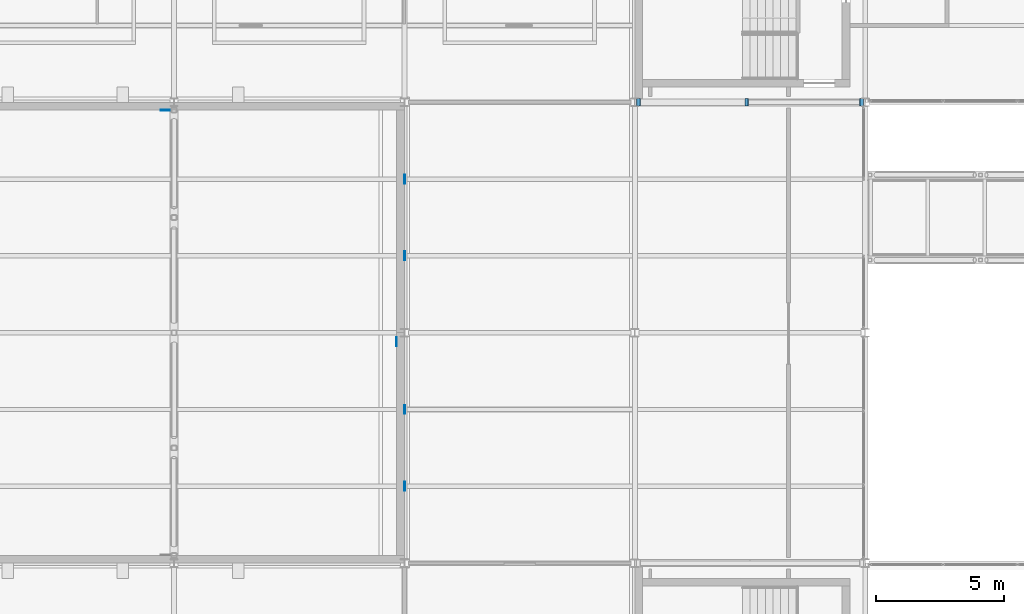
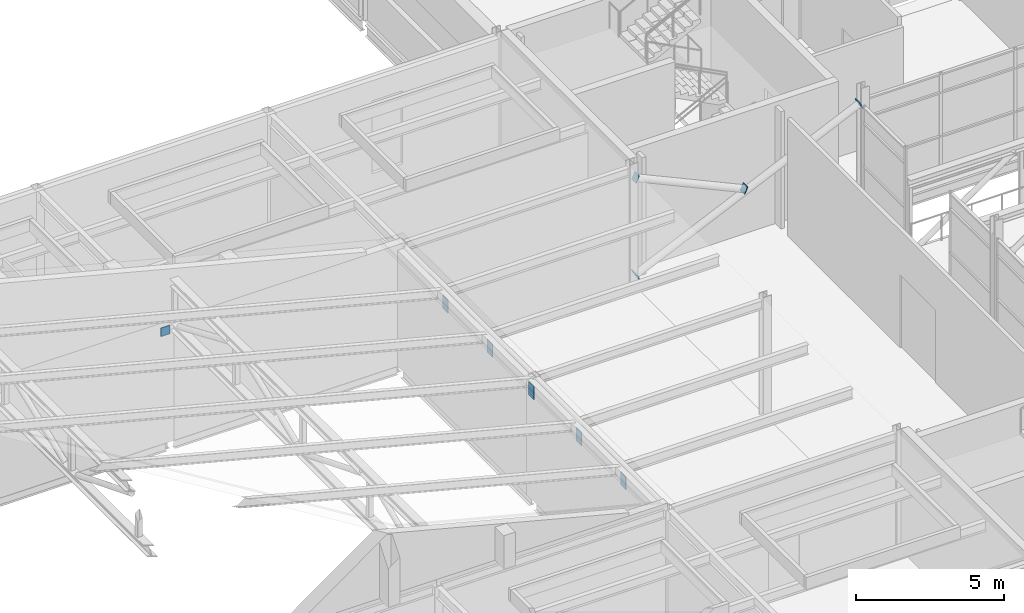
# One storey, part 103 of 115: 10 discrete accessories.
"""IFC4 building model written with IfcOpenShell, lengths in metres."""

from ifc_helpers import new_model, si_unit, direction, frame, origin, place, context, subcontext, project, spatial, polyline, outline, extrude, material, layer, layer_set, type_object, element, save


model = new_model("IFC4")

# Units and contexts
model_context = context("Model", 3, precision=1e-05, world=origin(), true_north=direction((0.0, 1.0)))
body_context = subcontext(model_context, "Body", "Model", "MODEL_VIEW")
ifc_project = project(units=[si_unit("LENGTHUNIT", "METRE"), si_unit("AREAUNIT", "SQUARE_METRE"), si_unit("VOLUMEUNIT", "CUBIC_METRE"), si_unit("PLANEANGLEUNIT", "RADIAN"), si_unit("MASSUNIT", "GRAM", prefix="KILO")], contexts=[model_context])

# Site, building, storey
site_placement = place(None, origin())
site = spatial("IfcSite", under=ifc_project, at=site_placement, CompositionType="ELEMENT")
building_placement = place(site_placement, origin())
building = spatial("IfcBuilding", under=site, at=building_placement, Name="Shorebreak Coast Museum", CompositionType="ELEMENT")
storey_placement = place(building_placement, frame((0.0, 0.0, 11.0)))
storey = spatial("IfcBuildingStorey", under=building, at=storey_placement, Name="L02", CompositionType="ELEMENT", Elevation=11.0)

# Discrete accessories
ifc_material_1 = material(Name="Steel Grade 300", Category="steel")
ifc_layer_1 = layer(ifc_material_1, 0.02490234375)
ifc_layer_set_1 = layer_set([ifc_layer_1], Name="Steel Grade 300")
discrete_accessory_type_1 = type_object("IfcDiscreteAccessoryType", Name="Cast-in plate 350 x 350 x 25", PredefinedType="ANCHORPLATE", material=ifc_layer_set_1)
discrete_accessory_1_placement = place(storey_placement, frame((35.47509765625, 80.675048828125, 4.46142578125), z_axis=(0.0, -1.0, 0.0), x_axis=(1.0, 0.0, 0.0)))
element("IfcDiscreteAccessory", 1, at=discrete_accessory_1_placement, inside=storey, type_object=discrete_accessory_type_1, Name="Cast-in plate Auditorium roof truss TS2 strut V05 end 1", PredefinedType="ANCHORPLATE", context=body_context, shape_type="SweptSolid", body=[
    extrude(outline(polyline([(0.0, 0.0), (0.349853515625, 0.0), (0.349853515625, 0.349853515625), (0.0, 0.349853515625), (0.0, 0.0)])), origin(), (0.0, 0.0, -1.0), 0.02490234375),
])
ifc_material_2 = material(Name="Steel Grade 300", Category="steel")
ifc_layer_2 = layer(ifc_material_2, 0.02490234375)
ifc_layer_set_2 = layer_set([ifc_layer_2], Name="Steel Grade 300")
discrete_accessory_type_2 = type_object("IfcDiscreteAccessoryType", Name="Cast-in plate 350 x 550 x 25", PredefinedType="ANCHORPLATE", material=ifc_layer_set_2)
for number, where, z_axis, x_axis, name in (
    (2, (45.02490234375, 65.824951171875, 3.821044921875), (1.0, 0.0, 0.0), (0.0, 1.0, 0.0), "Cast-in plate Shell raker beam 01 end 2"),
    (3, (45.02490234375, 68.824951171875, 3.821044921875), (1.0, 0.0, 0.0), (0.0, 1.0, 0.0), "Cast-in plate Shell raker beam 02 end 2"),
):
    element("IfcDiscreteAccessory", number, at=place(storey_placement, frame(where, z_axis=z_axis, x_axis=x_axis)), inside=storey, type_object=discrete_accessory_type_2, Name=name, PredefinedType="ANCHORPLATE", context=body_context, shape_type="SweptSolid", body=[
        extrude(outline(polyline([(0.0, 0.0), (0.35009765625, 0.0), (0.35009765625, 0.550048828125), (0.0, 0.550048828125), (0.0, 0.0)])), origin(), (0.0, 0.0, -1.0), 0.02490234375),
    ])
discrete_accessory_2_placement = place(storey_placement, frame((44.699951171875, 71.47509765625, 4.220947265625), z_axis=(1.0, 0.0, 0.0), x_axis=(0.0, 1.0, 0.0)))
element("IfcDiscreteAccessory", 4, at=discrete_accessory_2_placement, inside=storey, type_object=discrete_accessory_type_2, Name="Cast-in plate Shell raker beam 03 end 2", PredefinedType="ANCHORPLATE", context=body_context, shape_type="SweptSolid", body=[
    extrude(outline(polyline([(0.0, 0.0), (0.349853515625, 0.0), (0.349853515625, 0.550048828125), (0.0, 0.550048828125), (0.0, 0.0)])), origin(), (0.0, 0.0, -1.0), 0.02490234375),
])
for number, where, z_axis, x_axis, name in (
    (5, (45.02490234375, 74.824951171875, 3.821044921875), (1.0, 0.0, 0.0), (0.0, 1.0, 0.0), "Cast-in plate Shell raker beam 04 end 2"),
    (6, (45.02490234375, 77.824951171875, 3.821044921875), (1.0, 0.0, 0.0), (0.0, 1.0, 0.0), "Cast-in plate Shell raker beam 05 end 2"),
):
    element("IfcDiscreteAccessory", number, at=place(storey_placement, frame(where, z_axis=z_axis, x_axis=x_axis)), inside=storey, type_object=discrete_accessory_type_2, Name=name, PredefinedType="ANCHORPLATE", context=body_context, shape_type="SweptSolid", body=[
        extrude(outline(polyline([(0.0, 0.0), (0.35009765625, 0.0), (0.35009765625, 0.550048828125), (0.0, 0.550048828125), (0.0, 0.0)])), origin(), (0.0, 0.0, -1.0), 0.02490234375),
    ])
ifc_material_3 = material(Name="Steel Grade 300", Category="steel")
ifc_layer_3 = layer(ifc_material_3, 0.02490234375)
ifc_layer_set_3 = layer_set([ifc_layer_3], Name="Steel Grade 300")
discrete_accessory_type_3 = type_object("IfcDiscreteAccessoryType", Name="End plate 300 x 300 x 25", PredefinedType="BRACKET", material=ifc_layer_set_3)
discrete_accessory_3_placement = place(storey_placement, frame((54.2158203125, 80.85009765625, 0.16357421875), z_axis=(0.909360103086, 0.0, 0.416009859156), x_axis=(0.0, 1.0, 0.0)))
element("IfcDiscreteAccessory", 7, at=discrete_accessory_3_placement, inside=storey, type_object=discrete_accessory_type_3, Name="End plate X-brace bay 03 L02 diagonal 1 end 1", PredefinedType="BRACKET", context=body_context, shape_type="SweptSolid", body=[
    extrude(outline(polyline([(0.0, 0.0), (0.2998046875, 0.0), (0.2998046875, 0.29988678544336883), (0.0, 0.29988678544336883), (0.0, 0.0)])), origin(), (0.0, 0.0, -1.0), 0.02490234375),
])
for number, where, z_axis, x_axis, name in (
    (8, (62.9296875, 80.85009765625, 4.14892578125), (0.909193123375, 0.0, 0.416374668308), (0.0, 1.0, 0.0), "End plate X-brace bay 03 L02 diagonal 1 end 2"),
    (9, (58.29638671875, 81.14990234375, 2.215087890625), (-0.909193123375, 0.0, 0.416374668308), (0.0, -1.0, 0.0), "End plate X-brace bay 03 L02 diagonal 2 end 1"),
):
    element("IfcDiscreteAccessory", number, at=place(storey_placement, frame(where, z_axis=z_axis, x_axis=x_axis)), inside=storey, type_object=discrete_accessory_type_3, Name=name, PredefinedType="BRACKET", context=body_context, shape_type="SweptSolid", body=[
        extrude(outline(polyline([(0.0, 0.0), (0.2998046875, 0.0), (0.2998046875, 0.30021038625643076), (0.0, 0.30021038625643076), (0.0, 0.0)])), origin(), (0.0, 0.0, -1.0), 0.02490234375),
    ])
discrete_accessory_4_placement = place(storey_placement, frame((54.068359375, 81.14990234375, 4.14892578125), z_axis=(-0.909500839953, 0.0, 0.415702083378), x_axis=(0.0, -1.0, 0.0)))
element("IfcDiscreteAccessory", 10, at=discrete_accessory_4_placement, inside=storey, type_object=discrete_accessory_type_3, Name="End plate X-brace bay 03 L02 diagonal 2 end 2", PredefinedType="BRACKET", context=body_context, shape_type="SweptSolid", body=[
    extrude(outline(polyline([(0.0, 0.0), (0.2998046875, 0.0), (0.2998046875, 0.30010881437343706), (0.0, 0.30010881437343706), (0.0, 0.0)])), origin(), (0.0, 0.0, -1.0), 0.02490234375),
])

save(model, "model.ifc")
